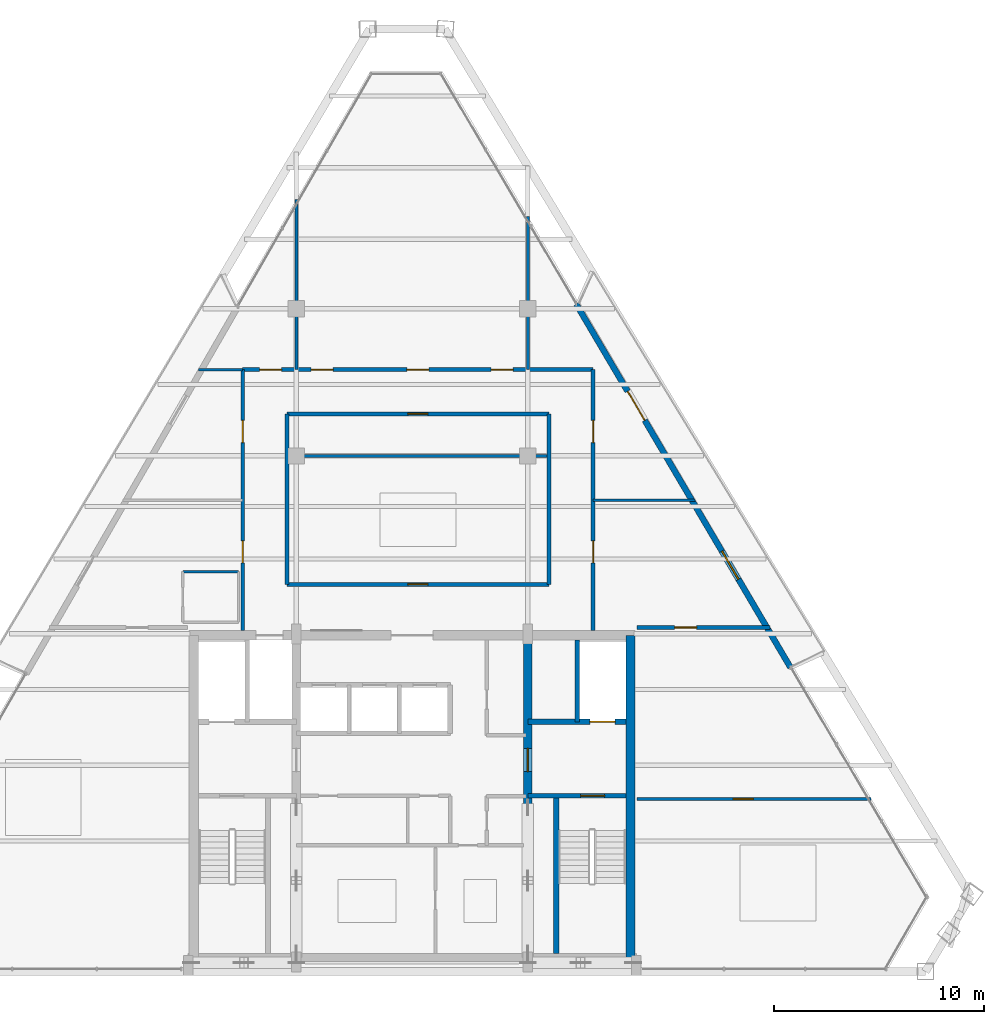
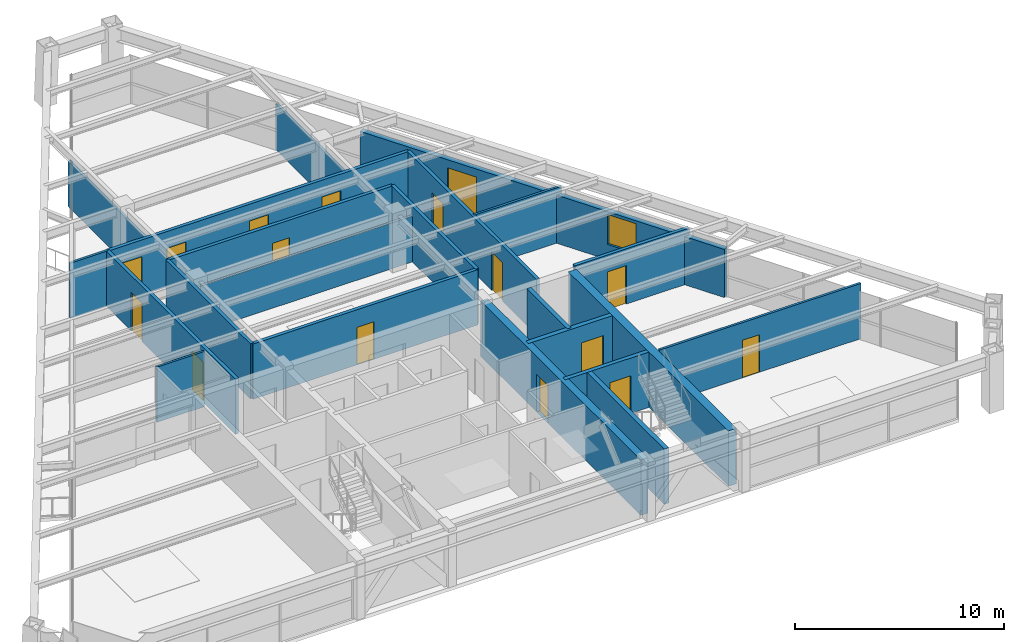
# One storey, part 10 of 13: 22 walls, 16 doors, 1 window, 17 openings.
"""IFC4 building model written with IfcOpenShell, lengths in metres."""

from ifc_helpers import new_model, si_unit, direction, frame, frame_2d, origin, place, context, subcontext, project, spatial, rectangle, extrude, source, transform, mapped, material, layer, layer_set, type_object, type_shapes, element, fill, save


model = new_model("IFC4")

# Units and contexts
model_context = context("Model", 3, precision=1e-05, world=origin(), true_north=direction((0.0, 1.0)))
body_context = subcontext(model_context, "Body", "Model", "MODEL_VIEW")
ifc_project = project(units=[si_unit("LENGTHUNIT", "METRE"), si_unit("AREAUNIT", "SQUARE_METRE"), si_unit("VOLUMEUNIT", "CUBIC_METRE"), si_unit("PLANEANGLEUNIT", "RADIAN"), si_unit("MASSUNIT", "GRAM", prefix="KILO")], contexts=[model_context])

# Site, building, storey
site_placement = place(None, origin())
site = spatial("IfcSite", under=ifc_project, at=site_placement, CompositionType="ELEMENT")
building_placement = place(site_placement, origin())
building = spatial("IfcBuilding", under=site, at=building_placement, Name="Varnakhor Terracotta Tower", CompositionType="ELEMENT")
storey_placement = place(building_placement, frame((0.0, 0.0, 279.89990234375)))
storey = spatial("IfcBuildingStorey", under=building, at=storey_placement, Name="L73", CompositionType="ELEMENT", Elevation=279.89990234375)

# Walls
ifc_material_1 = material(Name="Moisture-Resistant Tile-Backed Partition", Category="gypsum")
ifc_layer_1 = layer(ifc_material_1, 0.114990234375, Name="Moisture-Resistant Tile-Backed Partition")
ifc_layer_set_1 = layer_set([ifc_layer_1], Name="Moisture-Resistant Tile-Backed Partition")
wall_type_1 = type_object("IfcWallType", Name="WAL-BATH-115", PredefinedType="PARTITIONING", material=ifc_layer_set_1)
wall_1_placement = place(storey_placement, frame((-10.89990234375, 19.0, 0.0), z_axis=(0.0, 0.0, 1.0), x_axis=(1.0, 0.0, 0.0)))
element("IfcWall", 1, at=wall_1_placement, inside=storey, type_object=wall_type_1, Name="L73 En-Suite 1 Wall N", PredefinedType="PARTITIONING", context=body_context, shape_type="SweptSolid", body=[
    extrude(rectangle(XDim=2.64990234375, YDim=0.114990234375, at=frame_2d((1.324951171875, 0.0))), origin(), (0.0, 0.0, 1.0), 3.232177734375),
])
ifc_material_2 = material(Name="Concrete C50/60", Category="concrete")
ifc_layer_2 = layer(ifc_material_2, 0.449951171875, Name="Concrete C50/60")
ifc_layer_set_2 = layer_set([ifc_layer_2], Name="Concrete C50/60")
wall_type_2 = type_object("IfcWallType", Name="WAL-CORE-450", PredefinedType="SHEAR", material=ifc_layer_set_2)
wall_2_placement = place(storey_placement, frame((10.375, 0.625, 0.0), z_axis=(0.0, 0.0, 1.0), x_axis=(0.0, 1.0, 0.0)))
element("IfcWall", 2, at=wall_2_placement, inside=storey, type_object=wall_type_2, Name="L73 East Core Shear Wall", PredefinedType="SHEAR", context=body_context, shape_type="SweptSolid", body=[
    extrude(rectangle(XDim=15.35009765625, YDim=0.449951171875, at=frame_2d((7.675048828125, 0.0))), origin(), (0.0, 0.0, 1.0), 3.239990234375),
])

# Wall, opening, door
ifc_layer_3 = layer(ifc_material_2, 0.39990234375, Name="Concrete C50/60")
ifc_layer_set_3 = layer_set([ifc_layer_3], Name="Concrete C50/60")
wall_type_3 = type_object("IfcWallType", Name="WAL-CORE-WEB-400", PredefinedType="SHEAR", material=ifc_layer_set_3)
wall_3_placement = place(storey_placement, frame((5.5, 0.625, 0.0), z_axis=(0.0, 0.0, 1.0), x_axis=(0.0, 1.0, 0.0)))
wall_3 = element("IfcWall", 3, at=wall_3_placement, inside=storey, type_object=wall_type_3, Name="L73 East Core Web Shear Wall", PredefinedType="SHEAR", context=body_context, shape_type="SweptSolid", body=[
    extrude(rectangle(XDim=15.35009765625, YDim=0.39990234375, at=frame_2d((7.675048828125, 0.0))), origin(), (0.0, 0.0, 1.0), 3.239990234375),
])
opening_1_placement = place(wall_3_placement, frame((8.875, 0.0, 0.0)))
opening_1 = element("IfcOpeningElement", 4, at=opening_1_placement, cuts=wall_3, Name="Opening DR-25", PredefinedType="OPENING", context=body_context, shape_type="SweptSolid", body=[
    extrude(rectangle(XDim=1.10009765625, YDim=2.199951171875, at=frame_2d((0.550048828125, 1.10009765625))), frame((0.0, 0.2099609375, 0.0), z_axis=(0.0, -1.0, 0.0), x_axis=(1.0, 0.0, 0.0)), (0.0, 0.0, 1.0), 0.419921875),
])
ifc_material_3 = material(Name="Firefighting Lobby Self-Closing Fire Door", Category="steel")
door_type_1 = type_object("IfcDoorType", Name="DR-FFL-1100X2200", OperationType="NOTDEFINED", PredefinedType="DOOR", material=ifc_material_3)
shared_shape_1 = source(origin(), body_context, "Body", "SweptSolid", [
    extrude(rectangle(XDim=1.10009765625, YDim=2.199951171875, at=frame_2d((0.550048828125, 1.10009765625))), frame((0.0, 0.02490234375, 0.0), z_axis=(0.0, -1.0, 0.0), x_axis=(1.0, 0.0, 0.0)), (0.0, 0.0, 1.0), 0.050048828125),
])
type_shapes(door_type_1, [shared_shape_1])
door_1_placement = place(opening_1_placement, origin())
door_1 = element("IfcDoor", 5, at=door_1_placement, inside=storey, type_object=door_type_1, Name="L73 East Firefighting Lobby Door", OperationType="SINGLE_SWING_LEFT", OverallHeight=2.199951171875, OverallWidth=1.10009765625, PredefinedType="DOOR", context=body_context, shape_type="MappedRepresentation", body=[
    mapped(shared_shape_1, transform((0.0, 0.0, 0.0), scale=1.0)),
])
fill(opening_1, door_1)

ifc_material_4 = material(Name="Fire-Rated Gypsum Stud Partition", Category="gypsum")
ifc_layer_4 = layer(ifc_material_4, 0.18505859375, Name="Fire-Rated Gypsum Stud Partition")
ifc_layer_set_4 = layer_set([ifc_layer_4], Name="Fire-Rated Gypsum Stud Partition")
wall_type_4 = type_object("IfcWallType", Name="WAL-CORR-185", PredefinedType="PARTITIONING", material=ifc_layer_set_4)
wall_4_placement = place(storey_placement, frame((-5.949951171875, 18.39990234375, 0.0), z_axis=(0.0, 0.0, 1.0), x_axis=(1.0, 0.0, 0.0)))
wall_4 = element("IfcWall", 6, at=wall_4_placement, inside=storey, type_object=wall_type_4, Name="L73 Ring Inner South Wall", PredefinedType="PARTITIONING", context=body_context, shape_type="SweptSolid", body=[
    extrude(rectangle(XDim=12.449951171875, YDim=0.18505859375, at=frame_2d((6.22509765625, 0.0))), origin(), (0.0, 0.0, 1.0), 3.232177734375),
])
opening_2_placement = place(wall_4_placement, frame((5.75, 0.0, 0.0)))
opening_2 = element("IfcOpeningElement", 7, at=opening_2_placement, cuts=wall_4, Name="Opening DR-94", PredefinedType="OPENING", context=body_context, shape_type="SweptSolid", body=[
    extrude(rectangle(XDim=0.949951171875, YDim=2.199951171875, at=frame_2d((0.47509765625, 1.10009765625))), frame((0.0, 0.1025390625, 0.0), z_axis=(0.0, -1.0, 0.0), x_axis=(1.0, 0.0, 0.0)), (0.0, 0.0, 1.0), 0.205078125),
])
ifc_material_5 = material(Name="Acoustic Glazed-Vision Timber Office Door", Category="wood")
door_type_2 = type_object("IfcDoorType", Name="DR-OFF-950X2200", OperationType="NOTDEFINED", PredefinedType="DOOR", material=ifc_material_5)
shared_shape_2 = source(origin(), body_context, "Body", "SweptSolid", [
    extrude(rectangle(XDim=0.949951171875, YDim=2.199951171875, at=frame_2d((0.47509765625, 1.10009765625))), frame((0.0, 0.02490234375, 0.0), z_axis=(0.0, -1.0, 0.0), x_axis=(1.0, 0.0, 0.0)), (0.0, 0.0, 1.0), 0.050048828125),
])
type_shapes(door_type_2, [shared_shape_2])
door_2_placement = place(opening_2_placement, origin())
door_2 = element("IfcDoor", 8, at=door_2_placement, inside=storey, type_object=door_type_2, Name="L73 Housekeeping Station Door", OperationType="SINGLE_SWING_RIGHT", OverallHeight=2.199951171875, OverallWidth=0.949951171875, PredefinedType="DOOR", context=body_context, shape_type="MappedRepresentation", body=[
    mapped(shared_shape_2, transform((0.0, 0.0, 0.0), scale=1.0)),
])
fill(opening_2, door_2)

wall_5_placement = place(storey_placement, frame((-5.949951171875, 26.5, 0.0), z_axis=(0.0, 0.0, 1.0), x_axis=(1.0, 0.0, 0.0)))
wall_5 = element("IfcWall", 9, at=wall_5_placement, inside=storey, type_object=wall_type_4, Name="L73 Ring Inner North Wall", PredefinedType="PARTITIONING", context=body_context, shape_type="SweptSolid", body=[
    extrude(rectangle(XDim=12.449951171875, YDim=0.18505859375, at=frame_2d((6.22509765625, 0.0))), origin(), (0.0, 0.0, 1.0), 3.232177734375),
])
opening_3_placement = place(wall_5_placement, frame((5.75, 0.0, 0.0)))
opening_3 = element("IfcOpeningElement", 10, at=opening_3_placement, cuts=wall_5, Name="Opening DR-94", PredefinedType="OPENING", context=body_context, shape_type="SweptSolid", body=[
    extrude(rectangle(XDim=0.949951171875, YDim=2.199951171875, at=frame_2d((0.47509765625, 1.10009765625))), frame((0.0, 0.1025390625, 0.0), z_axis=(0.0, -1.0, 0.0), x_axis=(1.0, 0.0, 0.0)), (0.0, 0.0, 1.0), 0.205078125),
])
door_3_placement = place(opening_3_placement, origin())
door_3 = element("IfcDoor", 11, at=door_3_placement, inside=storey, type_object=door_type_2, Name="L73 Inner Service Door", OperationType="SINGLE_SWING_LEFT", OverallHeight=2.199951171875, OverallWidth=0.949951171875, PredefinedType="DOOR", context=body_context, shape_type="MappedRepresentation", body=[
    mapped(shared_shape_2, transform((0.0, 0.0, 0.0), scale=1.0)),
])
fill(opening_3, door_3)

# Walls
for number, where, z_axis, x_axis, name in (
    (12, (-5.949951171875, 18.39990234375, 0.0), (0.0, 0.0, 1.0), (0.0, 1.0, 0.0), "L73 Ring Inner West Wall"),
    (13, (6.5, 18.39990234375, 0.0), (0.0, 0.0, 1.0), (0.0, 1.0, 0.0), "L73 Ring Inner East Wall"),
):
    element("IfcWall", number, at=place(storey_placement, frame(where, z_axis=z_axis, x_axis=x_axis)), inside=storey, type_object=wall_type_4, Name=name, PredefinedType="PARTITIONING", context=body_context, shape_type="SweptSolid", body=[
        extrude(rectangle(XDim=8.10009765625, YDim=0.18505859375, at=frame_2d((4.050048828125, 0.0))), origin(), (0.0, 0.0, 1.0), 3.232177734375),
    ])

# Wall, openings, doors
wall_6_placement = place(storey_placement, frame((-8.050048828125, 16.199951171875, 0.0), z_axis=(0.0, 0.0, 1.0), x_axis=(0.0, 1.0, 0.0)))
wall_6 = element("IfcWall", 14, at=wall_6_placement, inside=storey, type_object=wall_type_4, Name="L73 Hotel West Corridor Wall", PredefinedType="PARTITIONING", context=body_context, shape_type="SweptSolid", body=[
    extrude(rectangle(XDim=12.400146484375, YDim=0.18505859375, at=frame_2d((6.2001953125, 0.0))), origin(), (0.0, 0.0, 1.0), 3.232177734375),
])
opening_4_placement = place(wall_6_placement, frame((3.217529296875, 0.0, 0.0)))
opening_4 = element("IfcOpeningElement", 15, at=opening_4_placement, cuts=wall_6, Name="Opening DR-95", PredefinedType="OPENING", context=body_context, shape_type="SweptSolid", body=[
    extrude(rectangle(XDim=1.050048828125, YDim=2.25, at=frame_2d((0.52490234375, 1.125))), frame((0.0, 0.1025390625, 0.0), z_axis=(0.0, -1.0, 0.0), x_axis=(1.0, 0.0, 0.0)), (0.0, 0.0, 1.0), 0.205078125),
])
opening_5_placement = place(wall_6_placement, frame((8.935791015625, 0.0, 0.0)))
opening_5 = element("IfcOpeningElement", 16, at=opening_5_placement, cuts=wall_6, Name="Opening DR-95", PredefinedType="OPENING", context=body_context, shape_type="SweptSolid", body=[
    extrude(rectangle(XDim=1.050048828125, YDim=2.25, at=frame_2d((0.52490234375, 1.125))), frame((0.0, 0.1025390625, 0.0), z_axis=(0.0, -1.0, 0.0), x_axis=(1.0, 0.0, 0.0)), (0.0, 0.0, 1.0), 0.205078125),
])
ifc_material_6 = material(Name="Solid-Core Timber Tenant/Hotel Entrance Door", Category="wood")
door_type_3 = type_object("IfcDoorType", Name="DR-SUITE-1050X2250", OperationType="NOTDEFINED", PredefinedType="DOOR", material=ifc_material_6)
shared_shape_3 = source(origin(), body_context, "Body", "SweptSolid", [
    extrude(rectangle(XDim=1.050048828125, YDim=2.25, at=frame_2d((0.52490234375, 1.125))), frame((0.0, 0.02490234375, 0.0), z_axis=(0.0, -1.0, 0.0), x_axis=(1.0, 0.0, 0.0)), (0.0, 0.0, 1.0), 0.050048828125),
])
type_shapes(door_type_3, [shared_shape_3])
door_4_placement = place(opening_4_placement, origin())
door_4 = element("IfcDoor", 17, at=door_4_placement, inside=storey, type_object=door_type_3, Name="L73 West Room 1 Entry Door", OperationType="SINGLE_SWING_LEFT", OverallHeight=2.25, OverallWidth=1.050048828125, PredefinedType="DOOR", context=body_context, shape_type="MappedRepresentation", body=[
    mapped(shared_shape_3, transform((0.0, 0.0, 0.0), scale=1.0)),
])
fill(opening_4, door_4)
door_5_placement = place(opening_5_placement, origin())
door_5 = element("IfcDoor", 18, at=door_5_placement, inside=storey, type_object=door_type_3, Name="L73 West Room 2 Entry Door", OperationType="SINGLE_SWING_LEFT", OverallHeight=2.25, OverallWidth=1.050048828125, PredefinedType="DOOR", context=body_context, shape_type="MappedRepresentation", body=[
    mapped(shared_shape_3, transform((0.0, 0.0, 0.0), scale=1.0)),
])
fill(opening_5, door_5)

wall_7_placement = place(storey_placement, frame((8.60009765625, 16.199951171875, 0.0), z_axis=(0.0, 0.0, 1.0), x_axis=(0.0, 1.0, 0.0)))
wall_7 = element("IfcWall", 19, at=wall_7_placement, inside=storey, type_object=wall_type_4, Name="L73 Hotel East Corridor Wall", PredefinedType="PARTITIONING", context=body_context, shape_type="SweptSolid", body=[
    extrude(rectangle(XDim=12.400146484375, YDim=0.18505859375, at=frame_2d((6.2001953125, 0.0))), origin(), (0.0, 0.0, 1.0), 3.232177734375),
])
opening_6_placement = place(wall_7_placement, frame((3.217529296875, 0.0, 0.0)))
opening_6 = element("IfcOpeningElement", 20, at=opening_6_placement, cuts=wall_7, Name="Opening DR-95", PredefinedType="OPENING", context=body_context, shape_type="SweptSolid", body=[
    extrude(rectangle(XDim=1.050048828125, YDim=2.25, at=frame_2d((0.52490234375, 1.125))), frame((0.0, 0.1025390625, 0.0), z_axis=(0.0, -1.0, 0.0), x_axis=(1.0, 0.0, 0.0)), (0.0, 0.0, 1.0), 0.205078125),
])
opening_7_placement = place(wall_7_placement, frame((8.935791015625, 0.0, 0.0)))
opening_7 = element("IfcOpeningElement", 21, at=opening_7_placement, cuts=wall_7, Name="Opening DR-95", PredefinedType="OPENING", context=body_context, shape_type="SweptSolid", body=[
    extrude(rectangle(XDim=1.050048828125, YDim=2.25, at=frame_2d((0.52490234375, 1.125))), frame((0.0, 0.1025390625, 0.0), z_axis=(0.0, -1.0, 0.0), x_axis=(1.0, 0.0, 0.0)), (0.0, 0.0, 1.0), 0.205078125),
])
door_6_placement = place(opening_6_placement, origin())
door_6 = element("IfcDoor", 22, at=door_6_placement, inside=storey, type_object=door_type_3, Name="L73 East Room 1 Entry Door", OperationType="SINGLE_SWING_RIGHT", OverallHeight=2.25, OverallWidth=1.050048828125, PredefinedType="DOOR", context=body_context, shape_type="MappedRepresentation", body=[
    mapped(shared_shape_3, transform((0.0, 0.0, 0.0), scale=1.0)),
])
fill(opening_6, door_6)
door_7_placement = place(opening_7_placement, origin())
door_7 = element("IfcDoor", 23, at=door_7_placement, inside=storey, type_object=door_type_3, Name="L73 East Room 2 Entry Door", OperationType="SINGLE_SWING_LEFT", OverallHeight=2.25, OverallWidth=1.050048828125, PredefinedType="DOOR", context=body_context, shape_type="MappedRepresentation", body=[
    mapped(shared_shape_3, transform((0.0, 0.0, 0.0), scale=1.0)),
])
fill(opening_7, door_7)

wall_8_placement = place(storey_placement, frame((-8.050048828125, 28.60009765625, 0.0), z_axis=(0.0, 0.0, 1.0), x_axis=(1.0, 0.0, 0.0)))
wall_8 = element("IfcWall", 24, at=wall_8_placement, inside=storey, type_object=wall_type_4, Name="L73 Hotel North Corridor Wall", PredefinedType="PARTITIONING", context=body_context, shape_type="SweptSolid", body=[
    extrude(rectangle(XDim=16.650146484375, YDim=0.18505859375, at=frame_2d((8.3251953125, 0.0))), origin(), (0.0, 0.0, 1.0), 3.232177734375),
])
opening_8_placement = place(wall_8_placement, frame((3.24755859375, 0.0, 0.0)))
opening_8 = element("IfcOpeningElement", 25, at=opening_8_placement, cuts=wall_8, Name="Opening DR-95", PredefinedType="OPENING", context=body_context, shape_type="SweptSolid", body=[
    extrude(rectangle(XDim=1.050048828125, YDim=2.25, at=frame_2d((0.52490234375, 1.125))), frame((0.0, 0.1025390625, 0.0), z_axis=(0.0, -1.0, 0.0), x_axis=(1.0, 0.0, 0.0)), (0.0, 0.0, 1.0), 0.205078125),
])
opening_9_placement = place(wall_8_placement, frame((7.800048828125, 0.0, 0.0)))
opening_9 = element("IfcOpeningElement", 26, at=opening_9_placement, cuts=wall_8, Name="Opening DR-95", PredefinedType="OPENING", context=body_context, shape_type="SweptSolid", body=[
    extrude(rectangle(XDim=1.050048828125, YDim=2.25, at=frame_2d((0.52490234375, 1.125))), frame((0.0, 0.1025390625, 0.0), z_axis=(0.0, -1.0, 0.0), x_axis=(1.0, 0.0, 0.0)), (0.0, 0.0, 1.0), 0.205078125),
])
opening_10_placement = place(wall_8_placement, frame((11.802490234375, 0.0, 0.0)))
opening_10 = element("IfcOpeningElement", 27, at=opening_10_placement, cuts=wall_8, Name="Opening DR-95", PredefinedType="OPENING", context=body_context, shape_type="SweptSolid", body=[
    extrude(rectangle(XDim=1.050048828125, YDim=2.25, at=frame_2d((0.52490234375, 1.125))), frame((0.0, 0.1025390625, 0.0), z_axis=(0.0, -1.0, 0.0), x_axis=(1.0, 0.0, 0.0)), (0.0, 0.0, 1.0), 0.205078125),
])
opening_11_placement = place(wall_8_placement, frame((0.802490234375, 0.0, 0.0)))
opening_11 = element("IfcOpeningElement", 28, at=opening_11_placement, cuts=wall_8, Name="Opening DR-95", PredefinedType="OPENING", context=body_context, shape_type="SweptSolid", body=[
    extrude(rectangle(XDim=1.050048828125, YDim=2.25, at=frame_2d((0.52490234375, 1.125))), frame((0.0, 0.1025390625, 0.0), z_axis=(0.0, -1.0, 0.0), x_axis=(1.0, 0.0, 0.0)), (0.0, 0.0, 1.0), 0.205078125),
])
door_8_placement = place(opening_8_placement, origin())
door_8 = element("IfcDoor", 29, at=door_8_placement, inside=storey, type_object=door_type_3, Name="L73 North Suite 1 Entry Door", OperationType="SINGLE_SWING_RIGHT", OverallHeight=2.25, OverallWidth=1.050048828125, PredefinedType="DOOR", context=body_context, shape_type="MappedRepresentation", body=[
    mapped(shared_shape_3, transform((0.0, 0.0, 0.0), scale=1.0)),
])
fill(opening_8, door_8)
door_9_placement = place(opening_9_placement, origin())
door_9 = element("IfcDoor", 30, at=door_9_placement, inside=storey, type_object=door_type_3, Name="L73 North Suite 2 Entry Door", OperationType="SINGLE_SWING_LEFT", OverallHeight=2.25, OverallWidth=1.050048828125, PredefinedType="DOOR", context=body_context, shape_type="MappedRepresentation", body=[
    mapped(shared_shape_3, transform((0.0, 0.0, 0.0), scale=1.0)),
])
fill(opening_9, door_9)
door_10_placement = place(opening_10_placement, origin())
door_10 = element("IfcDoor", 31, at=door_10_placement, inside=storey, type_object=door_type_3, Name="L73 North Suite 3 Entry Door", OperationType="SINGLE_SWING_RIGHT", OverallHeight=2.25, OverallWidth=1.050048828125, PredefinedType="DOOR", context=body_context, shape_type="MappedRepresentation", body=[
    mapped(shared_shape_3, transform((0.0, 0.0, 0.0), scale=1.0)),
])
fill(opening_10, door_10)
door_11_placement = place(opening_11_placement, origin())
door_11 = element("IfcDoor", 32, at=door_11_placement, inside=storey, type_object=door_type_3, Name="L73 Maitre D Reception NW Door", OperationType="SINGLE_SWING_LEFT", OverallHeight=2.25, OverallWidth=1.050048828125, PredefinedType="DOOR", context=body_context, shape_type="MappedRepresentation", body=[
    mapped(shared_shape_3, transform((0.0, 0.0, 0.0), scale=1.0)),
])
fill(opening_11, door_11)

# Wall, opening, door
wall_9_placement = place(storey_placement, frame((10.679931640625, 16.35009765625, 0.0), z_axis=(0.0, 0.0, 1.0), x_axis=(1.0, 0.0, 0.0)))
wall_9 = element("IfcWall", 33, at=wall_9_placement, inside=storey, type_object=wall_type_4, Name="L73 South East Guest Entry Wall", PredefinedType="PARTITIONING", context=body_context, shape_type="SweptSolid", body=[
    extrude(rectangle(XDim=6.328369140625, YDim=0.18505859375, at=frame_2d((3.1640625, 0.0))), origin(), (0.0, 0.0, 1.0), 3.232177734375),
])
opening_12_placement = place(wall_9_placement, frame((1.7919921875, 0.0, 0.0)))
opening_12 = element("IfcOpeningElement", 34, at=opening_12_placement, cuts=wall_9, Name="Opening DR-95", PredefinedType="OPENING", context=body_context, shape_type="SweptSolid", body=[
    extrude(rectangle(XDim=1.050048828125, YDim=2.25, at=frame_2d((0.52490234375, 1.125))), frame((0.0, 0.1025390625, 0.0), z_axis=(0.0, -1.0, 0.0), x_axis=(1.0, 0.0, 0.0)), (0.0, 0.0, 1.0), 0.205078125),
])
door_12_placement = place(opening_12_placement, origin())
door_12 = element("IfcDoor", 35, at=door_12_placement, inside=storey, type_object=door_type_3, Name="L73 SE Suite Entry Door", OperationType="SINGLE_SWING_LEFT", OverallHeight=2.25, OverallWidth=1.050048828125, PredefinedType="DOOR", context=body_context, shape_type="MappedRepresentation", body=[
    mapped(shared_shape_3, transform((0.0, 0.0, 0.0), scale=1.0)),
])
fill(opening_12, door_12)

# Wall, openings, door, window
ifc_material_7 = material(Name="Extruded Architectural Terracotta Assembly", Category="masonry")
ifc_layer_5 = layer(ifc_material_7, 0.280029296875, Name="Extruded Architectural Terracotta Assembly")
ifc_layer_set_5 = layer_set([ifc_layer_5], Name="Extruded Architectural Terracotta Assembly")
wall_type_5 = type_object("IfcWallType", Name="WAL-EXT-TERRACOTTA-280", PredefinedType="SOLIDWALL", material=ifc_layer_set_5)
wall_10_placement = place(storey_placement, frame((7.79638671875, 31.716796875, 0.0), z_axis=(0.0, 0.0, 1.0), x_axis=(0.507930566701, -0.861398014515, 0.0)))
wall_10 = element("IfcWall", 36, at=wall_10_placement, inside=storey, type_object=wall_type_5, Name="L73 E Loggia Insulated Terracotta Wall", PredefinedType="SOLIDWALL", context=body_context, shape_type="SweptSolid", body=[
    extrude(rectangle(XDim=20.044921875, YDim=0.280029296875, at=frame_2d((10.0224609375, 0.0))), origin(), (0.0, 0.0, 1.0), 2.820068359375),
])
opening_13_placement = place(wall_10_placement, frame((4.810791015625, 0.0, 0.0)))
opening_13 = element("IfcOpeningElement", 37, at=opening_13_placement, cuts=wall_10, Name="Opening DR-62", PredefinedType="OPENING", context=body_context, shape_type="SweptSolid", body=[
    extrude(rectangle(XDim=1.60009765625, YDim=2.35009765625, at=frame_2d((0.800048828125, 1.175048828125))), frame((0.0, 0.14990234375, 0.0), z_axis=(0.0, -1.0, 0.0), x_axis=(1.0, 0.0, 0.0)), (0.0, 0.0, 1.0), 0.300048828125),
])
opening_14_placement = place(wall_10_placement, frame((13.63037109375, 0.0, 0.89990234375)))
opening_14 = element("IfcOpeningElement", 38, at=opening_14_placement, cuts=wall_10, Name="Opening WN-59", PredefinedType="OPENING", context=body_context, shape_type="SweptSolid", body=[
    extrude(rectangle(XDim=1.550048828125, YDim=1.75, at=frame_2d((0.77490234375, 0.875))), frame((0.0, 0.14990234375, 0.0), z_axis=(0.0, -1.0, 0.0), x_axis=(1.0, 0.0, 0.0)), (0.0, 0.0, 1.0), 0.300048828125),
])
ifc_material_8 = material(Name="Thermally Broken Sliding Glass Loggia Door", Category="glass")
door_type_4 = type_object("IfcDoorType", Name="DR-EXT-LOGGIA-1600X2350", OperationType="NOTDEFINED", PredefinedType="DOOR", material=ifc_material_8)
shared_shape_4 = source(origin(), body_context, "Body", "SweptSolid", [
    extrude(rectangle(XDim=1.60009765625, YDim=2.35009765625, at=frame_2d((0.800048828125, 1.175048828125))), frame((0.0, 0.02490234375, 0.0), z_axis=(0.0, -1.0, 0.0), x_axis=(1.0, 0.0, 0.0)), (0.0, 0.0, 1.0), 0.050048828125),
])
type_shapes(door_type_4, [shared_shape_4])
door_13_placement = place(opening_13_placement, origin())
door_13 = element("IfcDoor", 39, at=door_13_placement, inside=storey, type_object=door_type_4, Name="L73 E Recessed Loggia Sliding Door", OperationType="SLIDING_TO_RIGHT", OverallHeight=2.35009765625, OverallWidth=1.60009765625, PredefinedType="DOOR", context=body_context, shape_type="MappedRepresentation", body=[
    mapped(shared_shape_4, transform((0.0, 0.0, 0.0), scale=1.0)),
])
fill(opening_13, door_13)
ifc_material_9 = material(Name="Solar-Control Low-E Insulated Glass Unit", Category="glass")
window_type = type_object("IfcWindowType", Name="WIN-HTL-1500X1950", PartitioningType="SINGLE_PANEL", PredefinedType="WINDOW", material=ifc_material_9)
shared_shape_5 = source(origin(), body_context, "Body", "SweptSolid", [
    extrude(rectangle(XDim=1.550048828125, YDim=1.75, at=frame_2d((0.77490234375, 0.875))), frame((0.0, 0.030029296875, 0.0), z_axis=(0.0, -1.0, 0.0), x_axis=(1.0, 0.0, 0.0)), (0.0, 0.0, 1.0), 0.06005859375),
])
type_shapes(window_type, [shared_shape_5])
window_placement = place(opening_14_placement, origin())
window = element("IfcWindow", 40, at=window_placement, inside=storey, type_object=window_type, Name="L73 E Facet Punched Window", OverallHeight=1.75, OverallWidth=1.550048828125, PartitioningType="SINGLE_PANEL", PredefinedType="WINDOW", context=body_context, shape_type="MappedRepresentation", body=[
    mapped(shared_shape_5, transform((0.0, 0.0, 0.0), scale=1.0)),
])
fill(opening_14, window)

# Wall, opening, door
ifc_material_10 = material(Name="Concrete C40/50", Category="concrete")
ifc_layer_6 = layer(ifc_material_10, 0.219970703125, Name="Concrete C40/50")
ifc_layer_set_6 = layer_set([ifc_layer_6], Name="Concrete C40/50")
wall_type_6 = type_object("IfcWallType", Name="WAL-FFLOBBY-220", PredefinedType="SOLIDWALL", material=ifc_layer_set_6)
wall_11_placement = place(storey_placement, frame((10.14990234375, 8.35009765625, 0.0), z_axis=(0.0, 0.0, 1.0), x_axis=(-1.0, 0.0, 0.0)))
wall_11 = element("IfcWall", 41, at=wall_11_placement, inside=storey, type_object=wall_type_6, Name="L73 East Firefighting Lobby Stair Wall", PredefinedType="SOLIDWALL", context=body_context, shape_type="SweptSolid", body=[
    extrude(rectangle(XDim=4.64990234375, YDim=0.219970703125, at=frame_2d((2.324951171875, 0.0))), origin(), (0.0, 0.0, 1.0), 3.239990234375),
])
opening_15_placement = place(wall_11_placement, frame((1.0, 0.0, 0.0)))
opening_15 = element("IfcOpeningElement", 42, at=opening_15_placement, cuts=wall_11, Name="Opening DR-34", PredefinedType="OPENING", context=body_context, shape_type="SweptSolid", body=[
    extrude(rectangle(XDim=1.14990234375, YDim=2.199951171875, at=frame_2d((0.574951171875, 1.10009765625))), frame((0.0, 0.1201171875, 0.0), z_axis=(0.0, -1.0, 0.0), x_axis=(1.0, 0.0, 0.0)), (0.0, 0.0, 1.0), 0.239990234375),
])
ifc_material_11 = material(Name="Self-Closing Smoke-Sealed Steel Fire Door", Category="steel")
door_type_5 = type_object("IfcDoorType", Name="DR-STAIR-1150X2200", OperationType="NOTDEFINED", PredefinedType="DOOR", material=ifc_material_11)
shared_shape_6 = source(origin(), body_context, "Body", "SweptSolid", [
    extrude(rectangle(XDim=1.14990234375, YDim=2.199951171875, at=frame_2d((0.574951171875, 1.10009765625))), frame((0.0, 0.02490234375, 0.0), z_axis=(0.0, -1.0, 0.0), x_axis=(1.0, 0.0, 0.0)), (0.0, 0.0, 1.0), 0.050048828125),
])
type_shapes(door_type_5, [shared_shape_6])
door_14_placement = place(opening_15_placement, origin())
door_14 = element("IfcDoor", 43, at=door_14_placement, inside=storey, type_object=door_type_5, Name="L73 Exit Stair ST-2 Fire Door", OperationType="SINGLE_SWING_RIGHT", OverallHeight=2.199951171875, OverallWidth=1.14990234375, PredefinedType="DOOR", context=body_context, shape_type="MappedRepresentation", body=[
    mapped(shared_shape_6, transform((0.0, 0.0, 0.0), scale=1.0)),
])
fill(opening_15, door_14)

# Walls
ifc_material_12 = material(Name="Acoustic Hotel Room Partition", Category="gypsum")
ifc_layer_7 = layer(ifc_material_12, 0.1298828125, Name="Acoustic Hotel Room Partition")
ifc_layer_set_7 = layer_set([ifc_layer_7], Name="Acoustic Hotel Room Partition")
wall_type_7 = type_object("IfcWallType", Name="WAL-PART-130", PredefinedType="PARTITIONING", material=ifc_layer_set_7)
wall_12_placement = place(storey_placement, frame((-10.158203125, 28.60009765625, 0.0), z_axis=(0.0, 0.0, 1.0), x_axis=(1.0, 0.0, 0.0)))
element("IfcWall", 44, at=wall_12_placement, inside=storey, type_object=wall_type_7, Name="L73 North West Suite South Wall", PredefinedType="PARTITIONING", context=body_context, shape_type="SweptSolid", body=[
    extrude(rectangle(XDim=2.108154296875, YDim=0.1298828125, at=frame_2d((1.05419921875, 0.0))), origin(), (0.0, 0.0, 1.0), 3.232177734375),
])
wall_13_placement = place(storey_placement, frame((-5.5, 28.60009765625, 0.0), z_axis=(0.0, 0.0, 1.0), x_axis=(0.0, 1.0, 0.0)))
element("IfcWall", 45, at=wall_13_placement, inside=storey, type_object=wall_type_7, Name="L73 North West Column Wall", PredefinedType="PARTITIONING", context=body_context, shape_type="SweptSolid", body=[
    extrude(rectangle(XDim=8.078125, YDim=0.1298828125, at=frame_2d((4.0390625, 0.0))), origin(), (0.0, 0.0, 1.0), 2.68310546875),
])
wall_14_placement = place(storey_placement, frame((5.5, 28.60009765625, 0.0), z_axis=(0.0, 0.0, 1.0), x_axis=(0.0, 1.0, 0.0)))
element("IfcWall", 46, at=wall_14_placement, inside=storey, type_object=wall_type_7, Name="L73 North East Column Wall", PredefinedType="PARTITIONING", context=body_context, shape_type="SweptSolid", body=[
    extrude(rectangle(XDim=7.267333984375, YDim=0.1298828125, at=frame_2d((3.6337890625, 0.0))), origin(), (0.0, 0.0, 1.0), 2.68310546875),
])

# Wall, opening, door
wall_15_placement = place(storey_placement, frame((10.679931640625, 8.199951171875, 0.0), z_axis=(0.0, 0.0, 1.0), x_axis=(1.0, 0.0, 0.0)))
wall_15 = element("IfcWall", 47, at=wall_15_placement, inside=storey, type_object=wall_type_7, Name="L73 SE Key Split 1", PredefinedType="PARTITIONING", context=body_context, shape_type="SweptSolid", body=[
    extrude(rectangle(XDim=11.134033203125, YDim=0.1298828125, at=frame_2d((5.56689453125, 0.0))), origin(), (0.0, 0.0, 1.0), 3.232177734375),
])
opening_16_placement = place(wall_15_placement, frame((4.5693359375, 0.0, 0.0)))
opening_16 = element("IfcOpeningElement", 48, at=opening_16_placement, cuts=wall_15, Name="Opening DR-94", PredefinedType="OPENING", context=body_context, shape_type="SweptSolid", body=[
    extrude(rectangle(XDim=0.949951171875, YDim=2.199951171875, at=frame_2d((0.47509765625, 1.10009765625))), frame((0.0, 0.074951171875, 0.0), z_axis=(0.0, -1.0, 0.0), x_axis=(1.0, 0.0, 0.0)), (0.0, 0.0, 1.0), 0.14990234375),
])
door_15_placement = place(opening_16_placement, origin())
door_15 = element("IfcDoor", 49, at=door_15_placement, inside=storey, type_object=door_type_2, Name="L73 SE Suite Connect Door 1", OperationType="SINGLE_SWING_RIGHT", OverallHeight=2.199951171875, OverallWidth=0.949951171875, PredefinedType="DOOR", context=body_context, shape_type="MappedRepresentation", body=[
    mapped(shared_shape_2, transform((0.0, 0.0, 0.0), scale=1.0)),
])
fill(opening_16, door_15)

# Walls
wall_16_placement = place(storey_placement, frame((8.60009765625, 22.39990234375, 0.0), z_axis=(0.0, 0.0, 1.0), x_axis=(1.0, 0.0, 0.0)))
element("IfcWall", 50, at=wall_16_placement, inside=storey, type_object=wall_type_7, Name="L73 East Key Cut 1", PredefinedType="PARTITIONING", context=body_context, shape_type="SweptSolid", body=[
    extrude(rectangle(XDim=4.8408203125, YDim=0.1298828125, at=frame_2d((2.42041015625, 0.0))), origin(), (0.0, 0.0, 1.0), 3.232177734375),
])
ifc_material_13 = material(Name="Acoustic Metal-Stud Partition", Category="gypsum")
ifc_layer_8 = layer(ifc_material_13, 0.139892578125, Name="Acoustic Metal-Stud Partition")
ifc_layer_set_8 = layer_set([ifc_layer_8], Name="Acoustic Metal-Stud Partition")
wall_type_8 = type_object("IfcWallType", Name="WAL-PART-140", PredefinedType="PARTITIONING", material=ifc_layer_set_8)
wall_17_placement = place(storey_placement, frame((-5.949951171875, 24.5, 0.0), z_axis=(0.0, 0.0, 1.0), x_axis=(1.0, 0.0, 0.0)))
element("IfcWall", 51, at=wall_17_placement, inside=storey, type_object=wall_type_8, Name="L73 Inner Service Split", PredefinedType="PARTITIONING", context=body_context, shape_type="SweptSolid", body=[
    extrude(rectangle(XDim=12.449951171875, YDim=0.139892578125, at=frame_2d((6.22509765625, 0.0))), origin(), (0.0, 0.0, 1.0), 2.68310546875),
])
ifc_layer_9 = layer(ifc_material_10, 0.219970703125, Name="Concrete C40/50")
ifc_layer_set_9 = layer_set([ifc_layer_9], Name="Concrete C40/50")
wall_type_9 = type_object("IfcWallType", Name="WAL-SHAFT-220", PredefinedType="SOLIDWALL", material=ifc_layer_set_9)
wall_18_placement = place(storey_placement, frame((7.840087890625, 11.8701171875, 0.0), z_axis=(0.0, 0.0, 1.0), x_axis=(0.0, 1.0, 0.0)))
element("IfcWall", 52, at=wall_18_placement, inside=storey, type_object=wall_type_9, Name="L73 Lift FFL-2 and Riser Divider Wall", PredefinedType="SOLIDWALL", context=body_context, shape_type="SweptSolid", body=[
    extrude(rectangle(XDim=3.8798828125, YDim=0.219970703125, at=frame_2d((1.93994140625, 0.0))), origin(), (0.0, 0.0, 1.0), 3.239990234375),
])
ifc_layer_10 = layer(ifc_material_10, 0.25, Name="Concrete C40/50")
ifc_layer_set_10 = layer_set([ifc_layer_10], Name="Concrete C40/50")
wall_type_10 = type_object("IfcWallType", Name="WAL-SHAFT-250", PredefinedType="SOLIDWALL", material=ifc_layer_set_10)
wall_19_placement = place(storey_placement, frame((6.85009765625, 0.85009765625, 0.0), z_axis=(0.0, 0.0, 1.0), x_axis=(0.0, 1.0, 0.0)))
element("IfcWall", 53, at=wall_19_placement, inside=storey, type_object=wall_type_10, Name="L73 Stair ST-2 Bearing Shaft Wall", PredefinedType="SOLIDWALL", context=body_context, shape_type="SweptSolid", body=[
    extrude(rectangle(XDim=7.5, YDim=0.25, at=frame_2d((3.75, 0.0))), origin(), (0.0, 0.0, 1.0), 3.239990234375),
])

# Wall, opening, door
wall_20_placement = place(storey_placement, frame((10.14990234375, 11.8701171875, 0.0), z_axis=(0.0, 0.0, 1.0), x_axis=(-1.0, 0.0, 0.0)))
wall_20 = element("IfcWall", 54, at=wall_20_placement, inside=storey, type_object=wall_type_10, Name="L73 Lift FFL-2 Shaft Front Wall", PredefinedType="SOLIDWALL", context=body_context, shape_type="SweptSolid", body=[
    extrude(rectangle(XDim=4.64990234375, YDim=0.25, at=frame_2d((2.324951171875, 0.0))), origin(), (0.0, 0.0, 1.0), 3.239990234375),
])
opening_17_placement = place(wall_20_placement, frame((0.5, 0.0, 0.0)))
opening_17 = element("IfcOpeningElement", 55, at=opening_17_placement, cuts=wall_20, Name="Opening LD-02", PredefinedType="OPENING", context=body_context, shape_type="SweptSolid", body=[
    extrude(rectangle(XDim=1.199951171875, YDim=2.25, at=frame_2d((0.60009765625, 1.125))), frame((0.0, 0.135009765625, 0.0), z_axis=(0.0, -1.0, 0.0), x_axis=(1.0, 0.0, 0.0)), (0.0, 0.0, 1.0), 0.27001953125),
])
ifc_material_14 = material(Name="Firefighting Stretcher Sliding Lift Landing Door", Category="steel")
door_type_6 = type_object("IfcDoorType", Name="LD-FFL-1200X2250", OperationType="NOTDEFINED", PredefinedType="DOOR", material=ifc_material_14)
shared_shape_7 = source(origin(), body_context, "Body", "SweptSolid", [
    extrude(rectangle(XDim=1.199951171875, YDim=2.25, at=frame_2d((0.60009765625, 1.125))), frame((0.0, 0.02490234375, 0.0), z_axis=(0.0, -1.0, 0.0), x_axis=(1.0, 0.0, 0.0)), (0.0, 0.0, 1.0), 0.050048828125),
])
type_shapes(door_type_6, [shared_shape_7])
door_16_placement = place(opening_17_placement, origin())
door_16 = element("IfcDoor", 56, at=door_16_placement, inside=storey, type_object=door_type_6, Name="L73 Firefighting Lift FFL-2 Landing Door", OperationType="SLIDING_TO_RIGHT", OverallHeight=2.25, OverallWidth=1.199951171875, PredefinedType="DOOR", context=body_context, shape_type="MappedRepresentation", body=[
    mapped(shared_shape_7, transform((0.0, 0.0, 0.0), scale=1.0)),
])
fill(opening_17, door_16)

save(model, "model.ifc")
